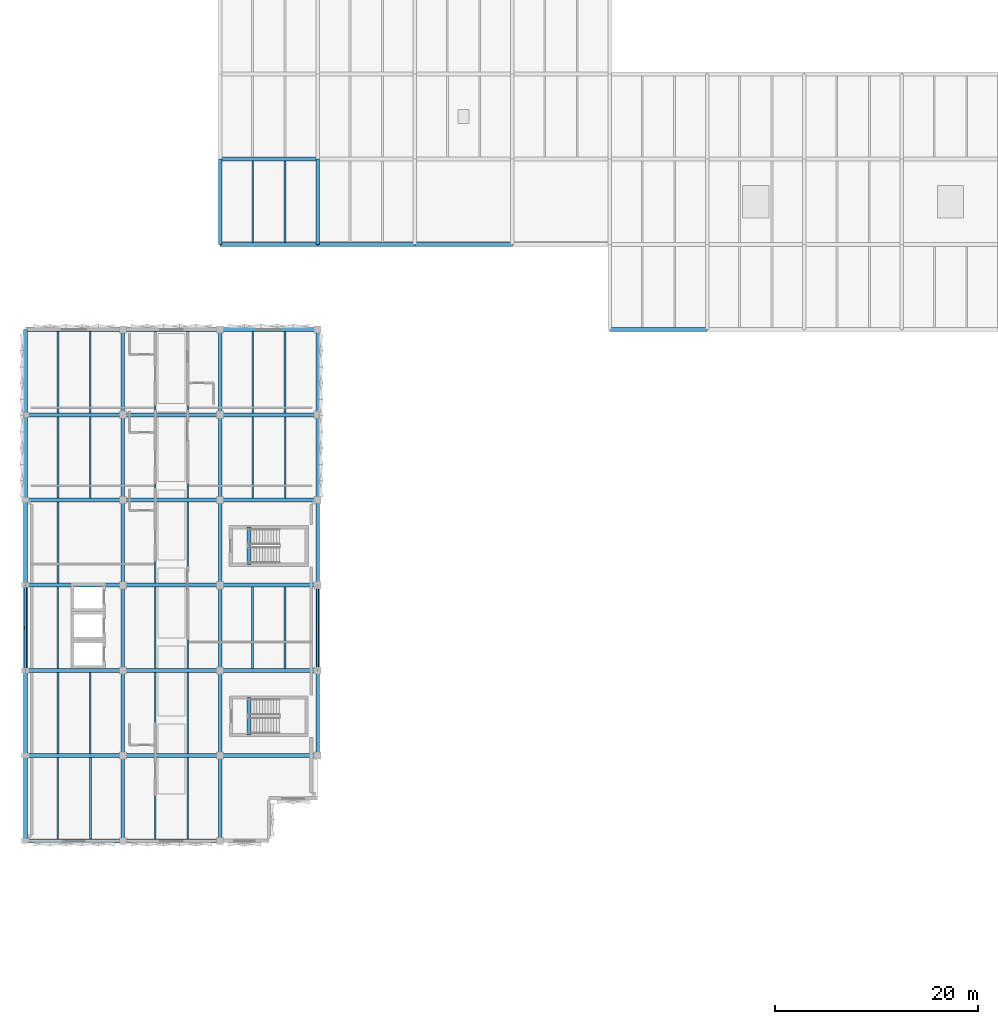
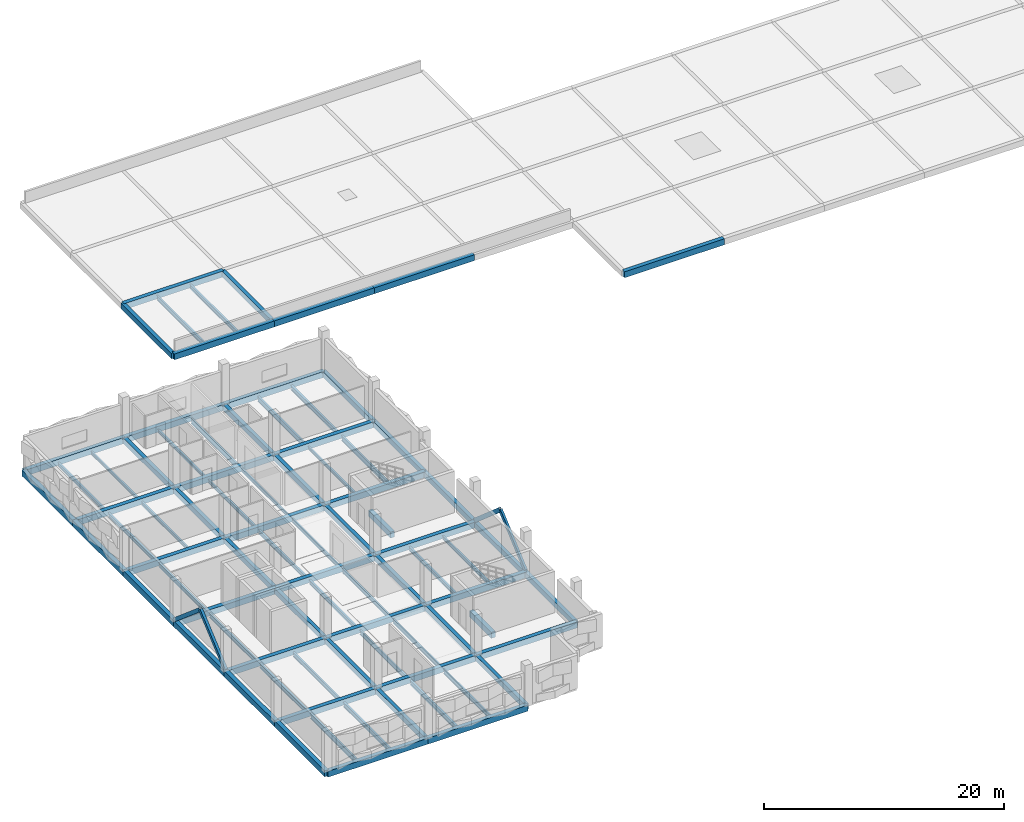
# One storey, part 3 of 57: 82 beams, 4 members.
"""IFC4 building model written with IfcOpenShell, lengths in metres."""

from ifc_helpers import new_model, si_unit, direction, frame, origin, origin_2d, place, context, subcontext, project, spatial, rectangle, hollow_rectangle, i_section, extrude, material, material_profile, profile_set, type_object, element, save


model = new_model("IFC4")

# Units and contexts
model_context = context("Model", 3, precision=1e-05, world=origin(), true_north=direction((0.0, 1.0)))
body_context = subcontext(model_context, "Body", "Model", "MODEL_VIEW")
ifc_project = project(units=[si_unit("LENGTHUNIT", "METRE"), si_unit("AREAUNIT", "SQUARE_METRE"), si_unit("VOLUMEUNIT", "CUBIC_METRE"), si_unit("PLANEANGLEUNIT", "RADIAN"), si_unit("MASSUNIT", "GRAM", prefix="KILO")], contexts=[model_context])

# Site, building, storey
site_placement = place(None, origin())
site = spatial("IfcSite", under=ifc_project, at=site_placement, CompositionType="ELEMENT")
building_placement = place(site_placement, origin())
building = spatial("IfcBuilding", under=site, at=building_placement, Name="Oolite Switchyard Hospital", CompositionType="ELEMENT")
storey_placement = place(building_placement, frame((0.0, 0.0, 17.800048828125)))
storey = spatial("IfcBuildingStorey", under=building, at=storey_placement, Name="L04", CompositionType="ELEMENT", Elevation=17.800048828125)

# Beams
ifc_material_1 = material(Name="Concrete C40/50", Category="concrete")
ifc_material_profile_1 = material_profile(ifc_material_1, rectangle(XDim=0.35009765625, YDim=0.550048828125, at=origin_2d()), Name="RCB350X550")
ifc_profile_set_1 = profile_set([ifc_material_profile_1], Name="Concrete C40/50")
beam_type_1 = type_object("IfcBeamType", Name="BM-RC350X550", PredefinedType="BEAM", material=ifc_profile_set_1)
for number, where, z_axis, x_axis, name in (
    (1, (9.60009765625, 33.60009765625, -0.275146484375), (0.0, 1.0, 0.0), (-1.0, 0.0, 0.0), "L04 Y-Girder 2926"),
    (2, (9.60009765625, 42.0, -0.275146484375), (0.0, 1.0, 0.0), (-1.0, 0.0, 0.0), "L04 Y-Girder 2927"),
):
    element("IfcBeam", number, at=place(storey_placement, frame(where, z_axis=z_axis, x_axis=x_axis)), inside=storey, type_object=beam_type_1, Name=name, PredefinedType="BEAM", context=body_context, shape_type="SweptSolid", body=[
        extrude(rectangle(XDim=0.35009765625, YDim=0.550048828125, at=origin_2d()), origin(), (0.0, 0.0, 1.0), 8.39990234375),
    ])
beam_1_placement = place(storey_placement, frame((9.60009765625, 50.39990234375, -0.275146484375), z_axis=(0.0, 1.0, 0.0), x_axis=(-1.0, 0.0, 0.0)))
element("IfcBeam", 3, at=beam_1_placement, inside=storey, type_object=beam_type_1, Name="L04 Y-Girder 2928", PredefinedType="BEAM", context=body_context, shape_type="SweptSolid", body=[
    extrude(rectangle(XDim=0.35009765625, YDim=0.550048828125, at=origin_2d()), origin(), (0.0, 0.0, 1.0), 8.400146484375),
])
beam_2_placement = place(storey_placement, frame((9.60009765625, 58.800048828125, -0.275146484375), z_axis=(0.0, 1.0, 0.0), x_axis=(-1.0, 0.0, 0.0)))
element("IfcBeam", 4, at=beam_2_placement, inside=storey, type_object=beam_type_1, Name="L04 Y-Girder 2929", PredefinedType="BEAM", context=body_context, shape_type="SweptSolid", body=[
    extrude(rectangle(XDim=0.35009765625, YDim=0.550048828125, at=origin_2d()), origin(), (0.0, 0.0, 1.0), 8.39990234375),
])
beam_3_placement = place(storey_placement, frame((9.60009765625, 67.199951171875, -0.275146484375), z_axis=(0.0, 1.0, 0.0), x_axis=(-1.0, 0.0, 0.0)))
element("IfcBeam", 5, at=beam_3_placement, inside=storey, type_object=beam_type_1, Name="L04 Y-Girder 2930", PredefinedType="BEAM", context=body_context, shape_type="SweptSolid", body=[
    extrude(rectangle(XDim=0.35009765625, YDim=0.550048828125, at=origin_2d()), origin(), (0.0, 0.0, 1.0), 8.400146484375),
])
for number, where, z_axis, x_axis, name in (
    (6, (9.60009765625, 75.60009765625, -0.275146484375), (0.0, 1.0, 0.0), (-1.0, 0.0, 0.0), "L04 Y-Girder 2931"),
    (7, (19.199951171875, 33.60009765625, -0.275146484375), (0.0, 1.0, 0.0), (-1.0, 0.0, 0.0), "L04 Y-Girder 2932"),
    (8, (19.199951171875, 42.0, -0.275146484375), (0.0, 1.0, 0.0), (-1.0, 0.0, 0.0), "L04 Y-Girder 2933"),
):
    element("IfcBeam", number, at=place(storey_placement, frame(where, z_axis=z_axis, x_axis=x_axis)), inside=storey, type_object=beam_type_1, Name=name, PredefinedType="BEAM", context=body_context, shape_type="SweptSolid", body=[
        extrude(rectangle(XDim=0.35009765625, YDim=0.550048828125, at=origin_2d()), origin(), (0.0, 0.0, 1.0), 8.39990234375),
    ])
beam_4_placement = place(storey_placement, frame((19.199951171875, 50.39990234375, -0.275146484375), z_axis=(0.0, 1.0, 0.0), x_axis=(-1.0, 0.0, 0.0)))
element("IfcBeam", 9, at=beam_4_placement, inside=storey, type_object=beam_type_1, Name="L04 Y-Girder 2934", PredefinedType="BEAM", context=body_context, shape_type="SweptSolid", body=[
    extrude(rectangle(XDim=0.35009765625, YDim=0.550048828125, at=origin_2d()), origin(), (0.0, 0.0, 1.0), 8.400146484375),
])
beam_5_placement = place(storey_placement, frame((19.199951171875, 58.800048828125, -0.275146484375), z_axis=(0.0, 1.0, 0.0), x_axis=(-1.0, 0.0, 0.0)))
element("IfcBeam", 10, at=beam_5_placement, inside=storey, type_object=beam_type_1, Name="L04 Y-Girder 2935", PredefinedType="BEAM", context=body_context, shape_type="SweptSolid", body=[
    extrude(rectangle(XDim=0.35009765625, YDim=0.550048828125, at=origin_2d()), origin(), (0.0, 0.0, 1.0), 8.39990234375),
])
beam_6_placement = place(storey_placement, frame((19.199951171875, 67.199951171875, -0.275146484375), z_axis=(0.0, 1.0, 0.0), x_axis=(-1.0, 0.0, 0.0)))
element("IfcBeam", 11, at=beam_6_placement, inside=storey, type_object=beam_type_1, Name="L04 Y-Girder 2936", PredefinedType="BEAM", context=body_context, shape_type="SweptSolid", body=[
    extrude(rectangle(XDim=0.35009765625, YDim=0.550048828125, at=origin_2d()), origin(), (0.0, 0.0, 1.0), 8.400146484375),
])
beam_7_placement = place(storey_placement, frame((19.199951171875, 75.60009765625, -0.275146484375), z_axis=(0.0, 1.0, 0.0), x_axis=(-1.0, 0.0, 0.0)))
element("IfcBeam", 12, at=beam_7_placement, inside=storey, type_object=beam_type_1, Name="L04 Y-Girder 2937", PredefinedType="BEAM", context=body_context, shape_type="SweptSolid", body=[
    extrude(rectangle(XDim=0.35009765625, YDim=0.550048828125, at=origin_2d()), origin(), (0.0, 0.0, 1.0), 8.39990234375),
])
beam_8_placement = place(storey_placement, frame((19.199951171875, 92.39990234375, -0.275146484375), z_axis=(0.0, 1.0, 0.0), x_axis=(-1.0, 0.0, 0.0)))
element("IfcBeam", 13, at=beam_8_placement, inside=storey, type_object=beam_type_1, Name="L04 Y-Girder 2938", PredefinedType="BEAM", context=body_context, shape_type="SweptSolid", body=[
    extrude(rectangle(XDim=0.35009765625, YDim=0.550048828125, at=origin_2d()), origin(), (0.0, 0.0, 1.0), 8.400146484375),
])
beam_9_placement = place(storey_placement, frame((28.800048828125, 42.0, -0.275146484375), z_axis=(0.0, 1.0, 0.0), x_axis=(-1.0, 0.0, 0.0)))
element("IfcBeam", 14, at=beam_9_placement, inside=storey, type_object=beam_type_1, Name="L04 Y-Girder 2941", PredefinedType="BEAM", context=body_context, shape_type="SweptSolid", body=[
    extrude(rectangle(XDim=0.35009765625, YDim=0.550048828125, at=origin_2d()), origin(), (0.0, 0.0, 1.0), 8.39990234375),
])
beam_10_placement = place(storey_placement, frame((28.800048828125, 50.39990234375, -0.275146484375), z_axis=(0.0, 1.0, 0.0), x_axis=(-1.0, 0.0, 0.0)))
element("IfcBeam", 15, at=beam_10_placement, inside=storey, type_object=beam_type_1, Name="L04 Y-Girder 2942", PredefinedType="BEAM", context=body_context, shape_type="SweptSolid", body=[
    extrude(rectangle(XDim=0.35009765625, YDim=0.550048828125, at=origin_2d()), origin(), (0.0, 0.0, 1.0), 8.400146484375),
])
beam_11_placement = place(storey_placement, frame((28.800048828125, 58.800048828125, -0.275146484375), z_axis=(0.0, 1.0, 0.0), x_axis=(-1.0, 0.0, 0.0)))
element("IfcBeam", 16, at=beam_11_placement, inside=storey, type_object=beam_type_1, Name="L04 Y-Girder 2943", PredefinedType="BEAM", context=body_context, shape_type="SweptSolid", body=[
    extrude(rectangle(XDim=0.35009765625, YDim=0.550048828125, at=origin_2d()), origin(), (0.0, 0.0, 1.0), 8.39990234375),
])
beam_12_placement = place(storey_placement, frame((28.800048828125, 67.199951171875, -0.275146484375), z_axis=(0.0, 1.0, 0.0), x_axis=(-1.0, 0.0, 0.0)))
element("IfcBeam", 17, at=beam_12_placement, inside=storey, type_object=beam_type_1, Name="L04 Y-Girder 2944", PredefinedType="BEAM", context=body_context, shape_type="SweptSolid", body=[
    extrude(rectangle(XDim=0.35009765625, YDim=0.550048828125, at=origin_2d()), origin(), (0.0, 0.0, 1.0), 8.400146484375),
])
beam_13_placement = place(storey_placement, frame((28.800048828125, 75.60009765625, -0.275146484375), z_axis=(0.0, 1.0, 0.0), x_axis=(-1.0, 0.0, 0.0)))
element("IfcBeam", 18, at=beam_13_placement, inside=storey, type_object=beam_type_1, Name="L04 Y-Girder 2945", PredefinedType="BEAM", context=body_context, shape_type="SweptSolid", body=[
    extrude(rectangle(XDim=0.35009765625, YDim=0.550048828125, at=origin_2d()), origin(), (0.0, 0.0, 1.0), 8.39990234375),
])
beam_14_placement = place(storey_placement, frame((28.800048828125, 92.39990234375, -0.275146484375), z_axis=(0.0, 1.0, 0.0), x_axis=(-1.0, 0.0, 0.0)))
element("IfcBeam", 19, at=beam_14_placement, inside=storey, type_object=beam_type_1, Name="L04 Y-Girder 2946", PredefinedType="BEAM", context=body_context, shape_type="SweptSolid", body=[
    extrude(rectangle(XDim=0.35009765625, YDim=0.550048828125, at=origin_2d()), origin(), (0.0, 0.0, 1.0), 8.400146484375),
])
ifc_material_profile_2 = material_profile(ifc_material_1, rectangle(XDim=0.39990234375, YDim=0.60009765625, at=origin_2d()), Name="RCB400X600")
ifc_profile_set_2 = profile_set([ifc_material_profile_2], Name="Concrete C40/50")
beam_type_2 = type_object("IfcBeamType", Name="BM-RC400X600", PredefinedType="BEAM", material=ifc_profile_set_2)
beam_15_placement = place(storey_placement, frame((0.0, 33.60009765625, -0.300048828125), z_axis=(1.0, 0.0, 0.0), x_axis=(0.0, 1.0, 0.0)))
element("IfcBeam", 20, at=beam_15_placement, inside=storey, type_object=beam_type_2, Name="L04 X-Girder 2779", PredefinedType="BEAM", context=body_context, shape_type="SweptSolid", body=[
    extrude(rectangle(XDim=0.39990234375, YDim=0.60009765625, at=origin_2d()), origin(), (0.0, 0.0, 1.0), 9.60009765625),
])
beam_16_placement = place(storey_placement, frame((9.60009765625, 33.60009765625, -0.300048828125), z_axis=(1.0, 0.0, 0.0), x_axis=(0.0, 1.0, 0.0)))
element("IfcBeam", 21, at=beam_16_placement, inside=storey, type_object=beam_type_2, Name="L04 X-Girder 2780", PredefinedType="BEAM", context=body_context, shape_type="SweptSolid", body=[
    extrude(rectangle(XDim=0.39990234375, YDim=0.60009765625, at=origin_2d()), origin(), (0.0, 0.0, 1.0), 9.599853515625),
])
beam_17_placement = place(storey_placement, frame((0.0, 42.0, -0.300048828125), z_axis=(1.0, 0.0, 0.0), x_axis=(0.0, 1.0, 0.0)))
element("IfcBeam", 22, at=beam_17_placement, inside=storey, type_object=beam_type_2, Name="L04 X-Girder 2785", PredefinedType="BEAM", context=body_context, shape_type="SweptSolid", body=[
    extrude(rectangle(XDim=0.39990234375, YDim=0.60009765625, at=origin_2d()), origin(), (0.0, 0.0, 1.0), 9.60009765625),
])
beam_18_placement = place(storey_placement, frame((9.60009765625, 42.0, -0.300048828125), z_axis=(1.0, 0.0, 0.0), x_axis=(0.0, 1.0, 0.0)))
element("IfcBeam", 23, at=beam_18_placement, inside=storey, type_object=beam_type_2, Name="L04 X-Girder 2786", PredefinedType="BEAM", context=body_context, shape_type="SweptSolid", body=[
    extrude(rectangle(XDim=0.39990234375, YDim=0.60009765625, at=origin_2d()), origin(), (0.0, 0.0, 1.0), 9.599853515625),
])
for number, where, z_axis, x_axis, name in (
    (24, (19.199951171875, 42.0, -0.300048828125), (1.0, 0.0, 0.0), (0.0, 1.0, 0.0), "L04 X-Girder 2787"),
    (25, (0.0, 50.39990234375, -0.300048828125), (1.0, 0.0, 0.0), (0.0, 1.0, 0.0), "L04 X-Girder 2792"),
):
    element("IfcBeam", number, at=place(storey_placement, frame(where, z_axis=z_axis, x_axis=x_axis)), inside=storey, type_object=beam_type_2, Name=name, PredefinedType="BEAM", context=body_context, shape_type="SweptSolid", body=[
        extrude(rectangle(XDim=0.39990234375, YDim=0.60009765625, at=origin_2d()), origin(), (0.0, 0.0, 1.0), 9.60009765625),
    ])
beam_19_placement = place(storey_placement, frame((9.60009765625, 50.39990234375, -0.300048828125), z_axis=(1.0, 0.0, 0.0), x_axis=(0.0, 1.0, 0.0)))
element("IfcBeam", 26, at=beam_19_placement, inside=storey, type_object=beam_type_2, Name="L04 X-Girder 2793", PredefinedType="BEAM", context=body_context, shape_type="SweptSolid", body=[
    extrude(rectangle(XDim=0.39990234375, YDim=0.60009765625, at=origin_2d()), origin(), (0.0, 0.0, 1.0), 9.599853515625),
])
for number, where, z_axis, x_axis, name in (
    (27, (19.199951171875, 50.39990234375, -0.300048828125), (1.0, 0.0, 0.0), (0.0, 1.0, 0.0), "L04 X-Girder 2794"),
    (28, (0.0, 58.800048828125, -0.300048828125), (1.0, 0.0, 0.0), (0.0, 1.0, 0.0), "L04 X-Girder 2799"),
):
    element("IfcBeam", number, at=place(storey_placement, frame(where, z_axis=z_axis, x_axis=x_axis)), inside=storey, type_object=beam_type_2, Name=name, PredefinedType="BEAM", context=body_context, shape_type="SweptSolid", body=[
        extrude(rectangle(XDim=0.39990234375, YDim=0.60009765625, at=origin_2d()), origin(), (0.0, 0.0, 1.0), 9.60009765625),
    ])
beam_20_placement = place(storey_placement, frame((9.60009765625, 58.800048828125, -0.300048828125), z_axis=(1.0, 0.0, 0.0), x_axis=(0.0, 1.0, 0.0)))
element("IfcBeam", 29, at=beam_20_placement, inside=storey, type_object=beam_type_2, Name="L04 X-Girder 2800", PredefinedType="BEAM", context=body_context, shape_type="SweptSolid", body=[
    extrude(rectangle(XDim=0.39990234375, YDim=0.60009765625, at=origin_2d()), origin(), (0.0, 0.0, 1.0), 9.599853515625),
])
for number, where, z_axis, x_axis, name in (
    (30, (19.199951171875, 58.800048828125, -0.300048828125), (1.0, 0.0, 0.0), (0.0, 1.0, 0.0), "L04 X-Girder 2801"),
    (31, (0.0, 67.199951171875, -0.300048828125), (1.0, 0.0, 0.0), (0.0, 1.0, 0.0), "L04 X-Girder 2810"),
):
    element("IfcBeam", number, at=place(storey_placement, frame(where, z_axis=z_axis, x_axis=x_axis)), inside=storey, type_object=beam_type_2, Name=name, PredefinedType="BEAM", context=body_context, shape_type="SweptSolid", body=[
        extrude(rectangle(XDim=0.39990234375, YDim=0.60009765625, at=origin_2d()), origin(), (0.0, 0.0, 1.0), 9.60009765625),
    ])
beam_21_placement = place(storey_placement, frame((9.60009765625, 67.199951171875, -0.300048828125), z_axis=(1.0, 0.0, 0.0), x_axis=(0.0, 1.0, 0.0)))
element("IfcBeam", 32, at=beam_21_placement, inside=storey, type_object=beam_type_2, Name="L04 X-Girder 2811", PredefinedType="BEAM", context=body_context, shape_type="SweptSolid", body=[
    extrude(rectangle(XDim=0.39990234375, YDim=0.60009765625, at=origin_2d()), origin(), (0.0, 0.0, 1.0), 9.599853515625),
])
for number, where, z_axis, x_axis, name in (
    (33, (19.199951171875, 67.199951171875, -0.300048828125), (1.0, 0.0, 0.0), (0.0, 1.0, 0.0), "L04 X-Girder 2812"),
    (34, (0.0, 75.60009765625, -0.300048828125), (1.0, 0.0, 0.0), (0.0, 1.0, 0.0), "L04 X-Girder 2821"),
):
    element("IfcBeam", number, at=place(storey_placement, frame(where, z_axis=z_axis, x_axis=x_axis)), inside=storey, type_object=beam_type_2, Name=name, PredefinedType="BEAM", context=body_context, shape_type="SweptSolid", body=[
        extrude(rectangle(XDim=0.39990234375, YDim=0.60009765625, at=origin_2d()), origin(), (0.0, 0.0, 1.0), 9.60009765625),
    ])
beam_22_placement = place(storey_placement, frame((9.60009765625, 75.60009765625, -0.300048828125), z_axis=(1.0, 0.0, 0.0), x_axis=(0.0, 1.0, 0.0)))
element("IfcBeam", 35, at=beam_22_placement, inside=storey, type_object=beam_type_2, Name="L04 X-Girder 2822", PredefinedType="BEAM", context=body_context, shape_type="SweptSolid", body=[
    extrude(rectangle(XDim=0.39990234375, YDim=0.60009765625, at=origin_2d()), origin(), (0.0, 0.0, 1.0), 9.599853515625),
])
for number, where, z_axis, x_axis, name in (
    (36, (19.199951171875, 75.60009765625, -0.300048828125), (1.0, 0.0, 0.0), (0.0, 1.0, 0.0), "L04 X-Girder 2823"),
    (37, (0.0, 84.0, -0.300048828125), (1.0, 0.0, 0.0), (0.0, 1.0, 0.0), "L04 X-Girder 2831"),
):
    element("IfcBeam", number, at=place(storey_placement, frame(where, z_axis=z_axis, x_axis=x_axis)), inside=storey, type_object=beam_type_2, Name=name, PredefinedType="BEAM", context=body_context, shape_type="SweptSolid", body=[
        extrude(rectangle(XDim=0.39990234375, YDim=0.60009765625, at=origin_2d()), origin(), (0.0, 0.0, 1.0), 9.60009765625),
    ])
beam_23_placement = place(storey_placement, frame((9.60009765625, 84.0, -0.300048828125), z_axis=(1.0, 0.0, 0.0), x_axis=(0.0, 1.0, 0.0)))
element("IfcBeam", 38, at=beam_23_placement, inside=storey, type_object=beam_type_2, Name="L04 X-Girder 2832", PredefinedType="BEAM", context=body_context, shape_type="SweptSolid", body=[
    extrude(rectangle(XDim=0.39990234375, YDim=0.60009765625, at=origin_2d()), origin(), (0.0, 0.0, 1.0), 9.599853515625),
])
beam_24_placement = place(storey_placement, frame((19.199951171875, 84.0, -0.300048828125), z_axis=(1.0, 0.0, 0.0), x_axis=(0.0, 1.0, 0.0)))
element("IfcBeam", 39, at=beam_24_placement, inside=storey, type_object=beam_type_2, Name="L04 X-Girder 2833", PredefinedType="BEAM", context=body_context, shape_type="SweptSolid", body=[
    extrude(rectangle(XDim=0.39990234375, YDim=0.60009765625, at=origin_2d()), origin(), (0.0, 0.0, 1.0), 9.60009765625),
])
beam_25_placement = place(storey_placement, frame((57.60009765625, 84.0, -0.300048828125), z_axis=(1.0, 0.0, 0.0), x_axis=(0.0, 1.0, 0.0)))
element("IfcBeam", 40, at=beam_25_placement, inside=storey, type_object=beam_type_2, Name="L04 X-Girder 2834", PredefinedType="BEAM", context=body_context, shape_type="SweptSolid", body=[
    extrude(rectangle(XDim=0.39990234375, YDim=0.60009765625, at=origin_2d()), origin(), (0.0, 0.0, 1.0), 9.599853515625),
])
beam_26_placement = place(storey_placement, frame((19.199951171875, 92.39990234375, -0.300048828125), z_axis=(1.0, 0.0, 0.0), x_axis=(0.0, 1.0, 0.0)))
element("IfcBeam", 41, at=beam_26_placement, inside=storey, type_object=beam_type_2, Name="L04 X-Girder 2844", PredefinedType="BEAM", context=body_context, shape_type="SweptSolid", body=[
    extrude(rectangle(XDim=0.39990234375, YDim=0.60009765625, at=origin_2d()), origin(), (0.0, 0.0, 1.0), 9.60009765625),
])
beam_27_placement = place(storey_placement, frame((28.800048828125, 92.39990234375, -0.300048828125), z_axis=(1.0, 0.0, 0.0), x_axis=(0.0, 1.0, 0.0)))
element("IfcBeam", 42, at=beam_27_placement, inside=storey, type_object=beam_type_2, Name="L04 X-Girder 2845", PredefinedType="BEAM", context=body_context, shape_type="SweptSolid", body=[
    extrude(rectangle(XDim=0.39990234375, YDim=0.60009765625, at=origin_2d()), origin(), (0.0, 0.0, 1.0), 9.599853515625),
])
for number, where, z_axis, x_axis, name in (
    (43, (38.39990234375, 92.39990234375, -0.300048828125), (1.0, 0.0, 0.0), (0.0, 1.0, 0.0), "L04 X-Girder 2846"),
    (44, (19.199951171875, 100.800048828125, -0.300048828125), (1.0, 0.0, 0.0), (0.0, 1.0, 0.0), "L04 X-Girder 2858"),
):
    element("IfcBeam", number, at=place(storey_placement, frame(where, z_axis=z_axis, x_axis=x_axis)), inside=storey, type_object=beam_type_2, Name=name, PredefinedType="BEAM", context=body_context, shape_type="SweptSolid", body=[
        extrude(rectangle(XDim=0.39990234375, YDim=0.60009765625, at=origin_2d()), origin(), (0.0, 0.0, 1.0), 9.60009765625),
    ])
for number, where, z_axis, x_axis, name in (
    (45, (0.0, 33.60009765625, -0.300048828125), (0.0, 1.0, 0.0), (-1.0, 0.0, 0.0), "L04 Y-Girder 2920"),
    (46, (0.0, 42.0, -0.300048828125), (0.0, 1.0, 0.0), (-1.0, 0.0, 0.0), "L04 Y-Girder 2921"),
):
    element("IfcBeam", number, at=place(storey_placement, frame(where, z_axis=z_axis, x_axis=x_axis)), inside=storey, type_object=beam_type_2, Name=name, PredefinedType="BEAM", context=body_context, shape_type="SweptSolid", body=[
        extrude(rectangle(XDim=0.39990234375, YDim=0.60009765625, at=origin_2d()), origin(), (0.0, 0.0, 1.0), 8.39990234375),
    ])
beam_28_placement = place(storey_placement, frame((0.0, 50.39990234375, -0.300048828125), z_axis=(0.0, 1.0, 0.0), x_axis=(-1.0, 0.0, 0.0)))
element("IfcBeam", 47, at=beam_28_placement, inside=storey, type_object=beam_type_2, Name="L04 Y-Girder 2922", PredefinedType="BEAM", context=body_context, shape_type="SweptSolid", body=[
    extrude(rectangle(XDim=0.39990234375, YDim=0.60009765625, at=origin_2d()), origin(), (0.0, 0.0, 1.0), 8.400146484375),
])
beam_29_placement = place(storey_placement, frame((0.0, 58.800048828125, -0.300048828125), z_axis=(0.0, 1.0, 0.0), x_axis=(-1.0, 0.0, 0.0)))
element("IfcBeam", 48, at=beam_29_placement, inside=storey, type_object=beam_type_2, Name="L04 Y-Girder 2923", PredefinedType="BEAM", context=body_context, shape_type="SweptSolid", body=[
    extrude(rectangle(XDim=0.39990234375, YDim=0.60009765625, at=origin_2d()), origin(), (0.0, 0.0, 1.0), 8.39990234375),
])
beam_30_placement = place(storey_placement, frame((0.0, 67.199951171875, -0.300048828125), z_axis=(0.0, 1.0, 0.0), x_axis=(-1.0, 0.0, 0.0)))
element("IfcBeam", 49, at=beam_30_placement, inside=storey, type_object=beam_type_2, Name="L04 Y-Girder 2924", PredefinedType="BEAM", context=body_context, shape_type="SweptSolid", body=[
    extrude(rectangle(XDim=0.39990234375, YDim=0.60009765625, at=origin_2d()), origin(), (0.0, 0.0, 1.0), 8.400146484375),
])
beam_31_placement = place(storey_placement, frame((0.0, 75.60009765625, -0.300048828125), z_axis=(0.0, 1.0, 0.0), x_axis=(-1.0, 0.0, 0.0)))
element("IfcBeam", 50, at=beam_31_placement, inside=storey, type_object=beam_type_2, Name="L04 Y-Girder 2925", PredefinedType="BEAM", context=body_context, shape_type="SweptSolid", body=[
    extrude(rectangle(XDim=0.39990234375, YDim=0.60009765625, at=origin_2d()), origin(), (0.0, 0.0, 1.0), 8.39990234375),
])
beam_32_placement = place(storey_placement, frame((22.0400390625, 44.050048828125, -0.300048828125), z_axis=(0.0, 1.0, 0.0), x_axis=(-1.0, 0.0, 0.0)))
element("IfcBeam", 51, at=beam_32_placement, inside=storey, type_object=beam_type_2, Name="L04 ST-01 Stair Throat Trimmer Beam", PredefinedType="BEAM", context=body_context, shape_type="SweptSolid", body=[
    extrude(rectangle(XDim=0.39990234375, YDim=0.60009765625, at=origin_2d()), origin(), (0.0, 0.0, 1.0), 3.659912109375),
])
beam_33_placement = place(storey_placement, frame((22.0400390625, 60.824951171875, -0.300048828125), z_axis=(0.0, 1.0, 0.0), x_axis=(-1.0, 0.0, 0.0)))
element("IfcBeam", 52, at=beam_33_placement, inside=storey, type_object=beam_type_2, Name="L04 ST-02 Stair Throat Trimmer Beam", PredefinedType="BEAM", context=body_context, shape_type="SweptSolid", body=[
    extrude(rectangle(XDim=0.39990234375, YDim=0.60009765625, at=origin_2d()), origin(), (0.0, 0.0, 1.0), 3.7099609375),
])
ifc_material_2 = material(Name="Steel ASTM A992 Grade 50", Category="steel")
ifc_material_profile_3 = material_profile(ifc_material_2, i_section(OverallWidth=0.1650390625, OverallDepth=0.31005859375, WebThickness=0.006103515625, FlangeThickness=0.010009765625, at=origin_2d()), Name="W12X26")
ifc_profile_set_3 = profile_set([ifc_material_profile_3], Name="Steel ASTM A992 Grade 50")
beam_type_3 = type_object("IfcBeamType", Name="BM-W12X26", PredefinedType="JOIST", material=ifc_profile_set_3)
for number, where, z_axis, x_axis, name in (
    (53, (6.39990234375, 75.800048828125, -0.429931640625), (0.0, 1.0, 0.0), (-1.0, 0.0, 0.0), "L04 Secondary Steel Joist 3094"),
    (54, (16.0, 67.39990234375, -0.429931640625), (0.0, 1.0, 0.0), (-1.0, 0.0, 0.0), "L04 Secondary Steel Joist 3104"),
    (55, (12.800048828125, 75.800048828125, -0.429931640625), (0.0, 1.0, 0.0), (-1.0, 0.0, 0.0), "L04 Secondary Steel Joist 3105"),
    (56, (22.39990234375, 67.39990234375, -0.429931640625), (0.0, 1.0, 0.0), (-1.0, 0.0, 0.0), "L04 Secondary Steel Joist 3109"),
):
    element("IfcBeam", number, at=place(storey_placement, frame(where, z_axis=z_axis, x_axis=x_axis)), inside=storey, type_object=beam_type_3, Name=name, PredefinedType="JOIST", context=body_context, shape_type="SweptSolid", body=[
        extrude(i_section(OverallWidth=0.1650390625, OverallDepth=0.31005859375, WebThickness=0.006103515625, FlangeThickness=0.010009765625, at=origin_2d()), origin(), (0.0, 0.0, 1.0), 8.0),
    ])
ifc_material_profile_4 = material_profile(ifc_material_2, i_section(OverallWidth=0.1708984375, OverallDepth=0.35107421875, WebThickness=0.007080078125, FlangeThickness=0.010009765625, at=origin_2d()), Name="W14X30")
ifc_profile_set_4 = profile_set([ifc_material_profile_4], Name="Steel ASTM A992 Grade 50")
beam_type_4 = type_object("IfcBeamType", Name="BM-W14X30", PredefinedType="JOIST", material=ifc_profile_set_4)
for number, where, z_axis, x_axis, name in (
    (57, (6.39990234375, 67.39990234375, -0.449951171875), (0.0, 1.0, 0.0), (-1.0, 0.0, 0.0), "L04 Secondary Steel Joist 3092"),
    (58, (3.199951171875, 75.800048828125, -0.449951171875), (0.0, 1.0, 0.0), (-1.0, 0.0, 0.0), "L04 Secondary Steel Joist 3093"),
    (59, (16.0, 59.0, -0.449951171875), (0.0, 1.0, 0.0), (-1.0, 0.0, 0.0), "L04 Secondary Steel Joist 3102"),
    (60, (12.800048828125, 67.39990234375, -0.449951171875), (0.0, 1.0, 0.0), (-1.0, 0.0, 0.0), "L04 Secondary Steel Joist 3103"),
    (61, (25.60009765625, 50.60009765625, -0.449951171875), (0.0, 1.0, 0.0), (-1.0, 0.0, 0.0), "L04 Secondary Steel Joist 3108"),
):
    element("IfcBeam", number, at=place(storey_placement, frame(where, z_axis=z_axis, x_axis=x_axis)), inside=storey, type_object=beam_type_4, Name=name, PredefinedType="JOIST", context=body_context, shape_type="SweptSolid", body=[
        extrude(i_section(OverallWidth=0.1708984375, OverallDepth=0.35107421875, WebThickness=0.007080078125, FlangeThickness=0.010009765625, at=origin_2d()), origin(), (0.0, 0.0, 1.0), 8.0),
    ])
ifc_material_profile_5 = material_profile(ifc_material_2, i_section(OverallWidth=0.177978515625, OverallDepth=0.403076171875, WebThickness=0.008056640625, FlangeThickness=0.010986328125, at=origin_2d()), Name="W16X36")
ifc_profile_set_5 = profile_set([ifc_material_profile_5], Name="Steel ASTM A992 Grade 50")
beam_type_5 = type_object("IfcBeamType", Name="BM-W16X36", PredefinedType="JOIST", material=ifc_profile_set_5)
for number, where, z_axis, x_axis, name in (
    (62, (3.199951171875, 67.39990234375, -0.47607421875), (0.0, 1.0, 0.0), (-1.0, 0.0, 0.0), "L04 Secondary Steel Joist 3091"),
    (63, (16.0, 50.60009765625, -0.47607421875), (0.0, 1.0, 0.0), (-1.0, 0.0, 0.0), "L04 Secondary Steel Joist 3100"),
    (64, (12.800048828125, 59.0, -0.47607421875), (0.0, 1.0, 0.0), (-1.0, 0.0, 0.0), "L04 Secondary Steel Joist 3101"),
    (65, (22.39990234375, 50.60009765625, -0.47607421875), (0.0, 1.0, 0.0), (-1.0, 0.0, 0.0), "L04 Secondary Steel Joist 3107"),
):
    element("IfcBeam", number, at=place(storey_placement, frame(where, z_axis=z_axis, x_axis=x_axis)), inside=storey, type_object=beam_type_5, Name=name, PredefinedType="JOIST", context=body_context, shape_type="SweptSolid", body=[
        extrude(i_section(OverallWidth=0.177978515625, OverallDepth=0.403076171875, WebThickness=0.008056640625, FlangeThickness=0.010986328125, at=origin_2d()), origin(), (0.0, 0.0, 1.0), 8.0),
    ])
ifc_material_profile_6 = material_profile(ifc_material_2, i_section(OverallWidth=0.179931640625, OverallDepth=0.4130859375, WebThickness=0.010009765625, FlangeThickness=0.01611328125, at=origin_2d()), Name="W16X50")
ifc_profile_set_6 = profile_set([ifc_material_profile_6], Name="Steel ASTM A992 Grade 50")
beam_type_6 = type_object("IfcBeamType", Name="BM-W16X50", PredefinedType="JOIST", material=ifc_profile_set_6)
for number, where, z_axis, x_axis, name in (
    (66, (3.199951171875, 59.0, -0.48095703125), (0.0, 1.0, 0.0), (-1.0, 0.0, 0.0), "L04 Secondary Steel Joist 3090"),
    (67, (16.0, 42.199951171875, -0.48095703125), (0.0, 1.0, 0.0), (-1.0, 0.0, 0.0), "L04 Secondary Steel Joist 3098"),
    (68, (12.800048828125, 50.60009765625, -0.48095703125), (0.0, 1.0, 0.0), (-1.0, 0.0, 0.0), "L04 Secondary Steel Joist 3099"),
    (69, (25.60009765625, 92.60009765625, -0.426025390625), (0.0, 1.0, 0.0), (-1.0, 0.0, 0.0), "L04 Secondary Steel Joist 3114"),
):
    element("IfcBeam", number, at=place(storey_placement, frame(where, z_axis=z_axis, x_axis=x_axis)), inside=storey, type_object=beam_type_6, Name=name, PredefinedType="JOIST", context=body_context, shape_type="SweptSolid", body=[
        extrude(i_section(OverallWidth=0.179931640625, OverallDepth=0.4130859375, WebThickness=0.010009765625, FlangeThickness=0.01611328125, at=origin_2d()), origin(), (0.0, 0.0, 1.0), 8.0),
    ])
ifc_material_profile_7 = material_profile(ifc_material_2, i_section(OverallWidth=0.153076171875, OverallDepth=0.455078125, WebThickness=0.008056640625, FlangeThickness=0.012939453125, at=origin_2d()), Name="W18X40")
ifc_profile_set_7 = profile_set([ifc_material_profile_7], Name="Steel ASTM A992 Grade 50")
beam_type_7 = type_object("IfcBeamType", Name="BM-W18X40", PredefinedType="JOIST", material=ifc_profile_set_7)
for number, where, z_axis, x_axis, name in (
    (70, (6.39990234375, 42.199951171875, -0.501953125), (0.0, 1.0, 0.0), (-1.0, 0.0, 0.0), "L04 Secondary Steel Joist 3088"),
    (71, (3.199951171875, 50.60009765625, -0.501953125), (0.0, 1.0, 0.0), (-1.0, 0.0, 0.0), "L04 Secondary Steel Joist 3089"),
    (72, (16.0, 33.800048828125, -0.501953125), (0.0, 1.0, 0.0), (-1.0, 0.0, 0.0), "L04 Secondary Steel Joist 3096"),
    (73, (12.800048828125, 42.199951171875, -0.501953125), (0.0, 1.0, 0.0), (-1.0, 0.0, 0.0), "L04 Secondary Steel Joist 3097"),
    (74, (22.39990234375, 92.60009765625, -0.447021484375), (0.0, 1.0, 0.0), (-1.0, 0.0, 0.0), "L04 Secondary Steel Joist 3113"),
):
    element("IfcBeam", number, at=place(storey_placement, frame(where, z_axis=z_axis, x_axis=x_axis)), inside=storey, type_object=beam_type_7, Name=name, PredefinedType="JOIST", context=body_context, shape_type="SweptSolid", body=[
        extrude(i_section(OverallWidth=0.153076171875, OverallDepth=0.455078125, WebThickness=0.008056640625, FlangeThickness=0.012939453125, at=origin_2d()), origin(), (0.0, 0.0, 1.0), 8.0),
    ])
ifc_material_profile_8 = material_profile(ifc_material_2, i_section(OverallWidth=0.19091796875, OverallDepth=0.4599609375, WebThickness=0.010009765625, FlangeThickness=0.01611328125, at=origin_2d()), Name="W18X55")
ifc_profile_set_8 = profile_set([ifc_material_profile_8], Name="Steel ASTM A992 Grade 50")
beam_type_8 = type_object("IfcBeamType", Name="BM-W18X55", PredefinedType="JOIST", material=ifc_profile_set_8)
for number, where, z_axis, x_axis, name in (
    (75, (6.39990234375, 33.800048828125, -0.505126953125), (0.0, 1.0, 0.0), (-1.0, 0.0, 0.0), "L04 Secondary Steel Joist 3086"),
    (76, (3.199951171875, 42.199951171875, -0.505126953125), (0.0, 1.0, 0.0), (-1.0, 0.0, 0.0), "L04 Secondary Steel Joist 3087"),
    (77, (12.800048828125, 33.800048828125, -0.505126953125), (0.0, 1.0, 0.0), (-1.0, 0.0, 0.0), "L04 Secondary Steel Joist 3095"),
    (78, (25.60009765625, 75.800048828125, -0.505126953125), (0.0, 1.0, 0.0), (-1.0, 0.0, 0.0), "L04 Secondary Steel Joist 3112"),
):
    element("IfcBeam", number, at=place(storey_placement, frame(where, z_axis=z_axis, x_axis=x_axis)), inside=storey, type_object=beam_type_8, Name=name, PredefinedType="JOIST", context=body_context, shape_type="SweptSolid", body=[
        extrude(i_section(OverallWidth=0.19091796875, OverallDepth=0.4599609375, WebThickness=0.010009765625, FlangeThickness=0.01611328125, at=origin_2d()), origin(), (0.0, 0.0, 1.0), 8.0),
    ])
ifc_material_profile_9 = material_profile(ifc_material_2, i_section(OverallWidth=0.166015625, OverallDepth=0.529052734375, WebThickness=0.010009765625, FlangeThickness=0.013916015625, at=origin_2d()), Name="W21X50")
ifc_profile_set_9 = profile_set([ifc_material_profile_9], Name="Steel ASTM A992 Grade 50")
beam_type_9 = type_object("IfcBeamType", Name="BM-W21X50", PredefinedType="JOIST", material=ifc_profile_set_9)
for number, where, z_axis, x_axis, name in (
    (79, (3.199951171875, 33.800048828125, -0.5400390625), (0.0, 1.0, 0.0), (-1.0, 0.0, 0.0), "L04 Secondary Steel Joist 3085"),
    (80, (16.0, 75.800048828125, -0.5400390625), (0.0, 1.0, 0.0), (-1.0, 0.0, 0.0), "L04 Secondary Steel Joist 3106"),
    (81, (25.60009765625, 67.39990234375, -0.5400390625), (0.0, 1.0, 0.0), (-1.0, 0.0, 0.0), "L04 Secondary Steel Joist 3110"),
    (82, (22.39990234375, 75.800048828125, -0.5400390625), (0.0, 1.0, 0.0), (-1.0, 0.0, 0.0), "L04 Secondary Steel Joist 3111"),
):
    element("IfcBeam", number, at=place(storey_placement, frame(where, z_axis=z_axis, x_axis=x_axis)), inside=storey, type_object=beam_type_9, Name=name, PredefinedType="JOIST", context=body_context, shape_type="SweptSolid", body=[
        extrude(i_section(OverallWidth=0.166015625, OverallDepth=0.529052734375, WebThickness=0.010009765625, FlangeThickness=0.013916015625, at=origin_2d()), origin(), (0.0, 0.0, 1.0), 8.0),
    ])

# Members
ifc_material_3 = material(Name="Steel ASTM A500 Grade C", Category="steel")
ifc_material_profile_10 = material_profile(ifc_material_3, hollow_rectangle(XDim=0.25390625, YDim=0.35595703125, WallThickness=0.012939453125, at=origin_2d()), Name="HSS356X254X13")
ifc_profile_set_10 = profile_set([ifc_material_profile_10], Name="Steel ASTM A500 Grade C")
member_type_1 = type_object("IfcMemberType", Name="MEM-BR-RHS356", PredefinedType="BRACE", material=ifc_profile_set_10)
member_1_placement = place(storey_placement, frame((0.0, 50.39990234375, 0.02001953125), z_axis=(0.0, 0.761074164022, 0.648664872533), x_axis=(-1.0, 0.0, 0.0)))
element("IfcMember", 83, at=member_1_placement, inside=storey, type_object=member_type_1, Name="L04 Chevron Brace 9", PredefinedType="BRACE", context=body_context, shape_type="SweptSolid", body=[
    extrude(hollow_rectangle(XDim=0.25390625, YDim=0.35595703125, WallThickness=0.012939453125, at=origin_2d()), origin(), (0.0, 0.0, 1.0), 5.518798828125),
])
member_2_placement = place(storey_placement, frame((0.0, 58.800048828125, 0.02001953125), z_axis=(0.0, -0.761055549142, 0.648686712612), x_axis=(1.0, 0.0, 0.0)))
element("IfcMember", 84, at=member_2_placement, inside=storey, type_object=member_type_1, Name="L04 Chevron Brace 10", PredefinedType="BRACE", context=body_context, shape_type="SweptSolid", body=[
    extrude(hollow_rectangle(XDim=0.25390625, YDim=0.35595703125, WallThickness=0.012939453125, at=origin_2d()), origin(), (0.0, 0.0, 1.0), 5.5185546875),
])
ifc_material_profile_11 = material_profile(ifc_material_3, hollow_rectangle(XDim=0.202880859375, YDim=0.406005859375, WallThickness=0.012939453125, at=origin_2d()), Name="HSS406X203X13")
ifc_profile_set_11 = profile_set([ifc_material_profile_11], Name="Steel ASTM A500 Grade C")
member_type_2 = type_object("IfcMemberType", Name="MEM-BR-RHS406", PredefinedType="BRACE", material=ifc_profile_set_11)
for number, where, z_axis, x_axis, name in (
    (85, (28.800048828125, 50.39990234375, 0.02001953125), (0.0, 0.756605415599, 0.65387173443), (-1.0, 0.0, 0.0), "L04 Chevron Brace 23"),
    (86, (28.800048828125, 58.800048828125, 0.02001953125), (0.0, -0.756586611747, 0.653893492034), (1.0, 0.0, 0.0), "L04 Chevron Brace 24"),
):
    element("IfcMember", number, at=place(storey_placement, frame(where, z_axis=z_axis, x_axis=x_axis)), inside=storey, type_object=member_type_2, Name=name, PredefinedType="BRACE", context=body_context, shape_type="SweptSolid", body=[
        extrude(hollow_rectangle(XDim=0.202880859375, YDim=0.406005859375, WallThickness=0.012939453125, at=origin_2d()), origin(), (0.0, 0.0, 1.0), 5.55126953125),
    ])

save(model, "model.ifc")
